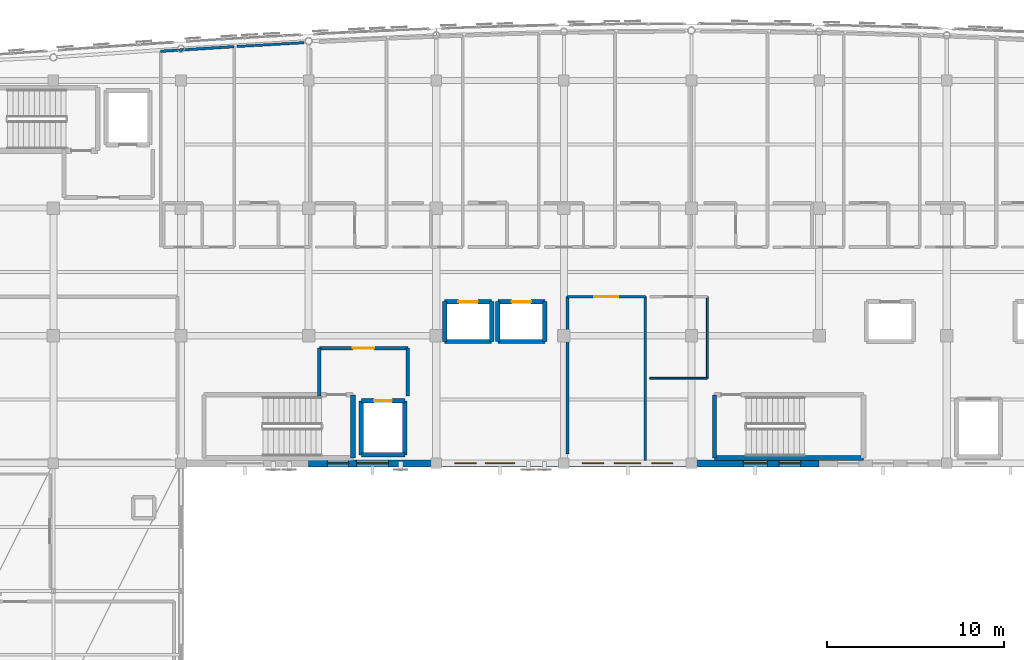
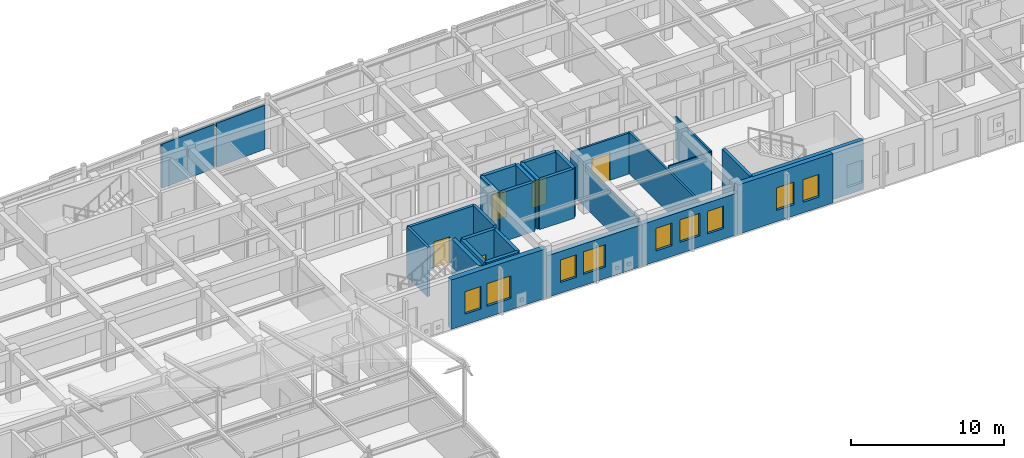
# One storey, part 92 of 113: 29 walls, 9 windows, 5 doors, 14 openings.
"""IFC4 building model written with IfcOpenShell, lengths in metres."""

from ifc_helpers import new_model, si_unit, direction, frame, frame_2d, origin, place, context, subcontext, project, spatial, rectangle, extrude, material, layer, layer_set, type_object, element, fill, save


model = new_model("IFC4")

# Units and contexts
model_context = context("Model", 3, precision=1e-05, world=origin(), true_north=direction((0.0, 1.0)))
body_context = subcontext(model_context, "Body", "Model", "MODEL_VIEW")
ifc_project = project(units=[si_unit("LENGTHUNIT", "METRE"), si_unit("AREAUNIT", "SQUARE_METRE"), si_unit("VOLUMEUNIT", "CUBIC_METRE"), si_unit("PLANEANGLEUNIT", "RADIAN"), si_unit("MASSUNIT", "GRAM", prefix="KILO")], contexts=[model_context])

# Site, building, storey
site_placement = place(None, origin())
site = spatial("IfcSite", under=ifc_project, at=site_placement, CompositionType="ELEMENT")
building_placement = place(site_placement, origin())
building = spatial("IfcBuilding", under=site, at=building_placement, Name="Carrowvane Square Congress Hotel", CompositionType="ELEMENT")
storey_placement = place(building_placement, frame((0.0, 0.0, 15.0)))
storey = spatial("IfcBuildingStorey", under=building, at=storey_placement, Name="L03", CompositionType="ELEMENT", Elevation=15.0)

# Wall, openings, windows
ifc_material_1 = material(Name="Glazed terracotta rainscreen", Category="masonry")
ifc_layer_1 = layer(ifc_material_1, 0.39990234375)
ifc_layer_set_1 = layer_set([ifc_layer_1], Name="Glazed terracotta rainscreen")
wall_type_1 = type_object("IfcWallType", Name="WL-EXT-TC400", PredefinedType="STANDARD", material=ifc_layer_set_1)
wall_1_placement = place(storey_placement, frame((105.199951171875, 91.800048828125, 0.0), z_axis=(0.0, 0.0, 1.0), x_axis=(-1.0, 0.0, 0.0)))
wall_1 = element("IfcWall", 1, at=wall_1_placement, inside=storey, type_object=wall_type_1, Name="L03 exterior facade wall 394", PredefinedType="STANDARD", context=body_context, shape_type="SweptSolid", body=[
    extrude(rectangle(XDim=7.199951171875, YDim=0.39990234375, at=frame_2d((3.60009765625, 0.0))), origin(), (0.0, 0.0, 1.0), 3.93994140625),
])
opening_1_placement = place(wall_1_placement, frame((2.925048828125, 0.0, 0.89990234375)))
opening_1 = element("IfcOpeningElement", 2, at=opening_1_placement, cuts=wall_1, Name="Opening W-02", PredefinedType="OPENING", context=body_context, shape_type="SweptSolid", body=[
    extrude(rectangle(XDim=1.35009765625, YDim=1.800048828125, at=frame_2d((0.675048828125, 0.89990234375))), frame((0.0, 0.2099609375, 0.0), z_axis=(0.0, -1.0, 0.0), x_axis=(1.0, 0.0, 0.0)), (0.0, 0.0, 1.0), 0.419921875),
])
opening_2_placement = place(wall_1_placement, frame((1.050048828125, 0.0, 0.85009765625)))
opening_2 = element("IfcOpeningElement", 3, at=opening_2_placement, cuts=wall_1, Name="Opening W-01", PredefinedType="OPENING", context=body_context, shape_type="SweptSolid", body=[
    extrude(rectangle(XDim=1.199951171875, YDim=1.800048828125, at=frame_2d((0.60009765625, 0.89990234375))), frame((0.0, 0.2099609375, 0.0), z_axis=(0.0, -1.0, 0.0), x_axis=(1.0, 0.0, 0.0)), (0.0, 0.0, 1.0), 0.419921875),
])
ifc_material_2 = material(Name="Double-glazed low-E glass", Category="glass")
window_type_1 = type_object("IfcWindowType", Name="WIN-01", PartitioningType="SINGLE_PANEL", PredefinedType="WINDOW", material=ifc_material_2)
window_1_placement = place(opening_2_placement, origin())
window_1 = element("IfcWindow", 4, at=window_1_placement, inside=storey, type_object=window_type_1, Name="L03 guest bedroom window 220", OverallHeight=1.800048828125, OverallWidth=1.199951171875, PartitioningType="SINGLE_PANEL", PredefinedType="WINDOW", context=body_context, shape_type="SweptSolid", body=[
    extrude(rectangle(XDim=1.199951171875, YDim=1.800048828125, at=frame_2d((0.60009765625, 0.89990234375))), frame((0.0, 0.030029296875, 0.0), z_axis=(0.0, -1.0, 0.0), x_axis=(1.0, 0.0, 0.0)), (0.0, 0.0, 1.0), 0.06005859375),
])
fill(opening_2, window_1)
ifc_material_3 = material(Name="Double-glazed low-E glass", Category="glass")
window_type_2 = type_object("IfcWindowType", Name="WIN-02", PartitioningType="SINGLE_PANEL", PredefinedType="WINDOW", material=ifc_material_3)
window_2_placement = place(opening_1_placement, origin())
window_2 = element("IfcWindow", 5, at=window_2_placement, inside=storey, type_object=window_type_2, Name="L03 facade window 219", OverallHeight=1.800048828125, OverallWidth=1.35009765625, PartitioningType="SINGLE_PANEL", PredefinedType="WINDOW", context=body_context, shape_type="SweptSolid", body=[
    extrude(rectangle(XDim=1.35009765625, YDim=1.800048828125, at=frame_2d((0.675048828125, 0.89990234375))), frame((0.0, 0.030029296875, 0.0), z_axis=(0.0, -1.0, 0.0), x_axis=(1.0, 0.0, 0.0)), (0.0, 0.0, 1.0), 0.06005859375),
])
fill(opening_1, window_2)

wall_2_placement = place(storey_placement, frame((98.0, 91.800048828125, 0.0), z_axis=(0.0, 0.0, 1.0), x_axis=(-1.0, 0.0, 0.0)))
wall_2 = element("IfcWall", 6, at=wall_2_placement, inside=storey, type_object=wall_type_1, Name="L03 exterior facade wall 395", PredefinedType="STANDARD", context=body_context, shape_type="SweptSolid", body=[
    extrude(rectangle(XDim=7.199951171875, YDim=0.39990234375, at=frame_2d((3.60009765625, 0.0))), origin(), (0.0, 0.0, 1.0), 3.324951171875),
])
opening_3_placement = place(wall_2_placement, frame((2.85009765625, 0.0, 0.89990234375)))
opening_3 = element("IfcOpeningElement", 7, at=opening_3_placement, cuts=wall_2, Name="Opening W-03", PredefinedType="OPENING", context=body_context, shape_type="SweptSolid", body=[
    extrude(rectangle(XDim=1.5, YDim=1.800048828125, at=frame_2d((0.75, 0.89990234375))), frame((0.0, 0.2099609375, 0.0), z_axis=(0.0, -1.0, 0.0), x_axis=(1.0, 0.0, 0.0)), (0.0, 0.0, 1.0), 0.419921875),
])
opening_4_placement = place(wall_2_placement, frame((1.050048828125, 0.0, 0.85009765625)))
opening_4 = element("IfcOpeningElement", 8, at=opening_4_placement, cuts=wall_2, Name="Opening W-01", PredefinedType="OPENING", context=body_context, shape_type="SweptSolid", body=[
    extrude(rectangle(XDim=1.199951171875, YDim=1.800048828125, at=frame_2d((0.60009765625, 0.89990234375))), frame((0.0, 0.2099609375, 0.0), z_axis=(0.0, -1.0, 0.0), x_axis=(1.0, 0.0, 0.0)), (0.0, 0.0, 1.0), 0.419921875),
])
opening_5_placement = place(wall_2_placement, frame((4.949951171875, 0.0, 0.85009765625)))
opening_5 = element("IfcOpeningElement", 9, at=opening_5_placement, cuts=wall_2, Name="Opening W-01", PredefinedType="OPENING", context=body_context, shape_type="SweptSolid", body=[
    extrude(rectangle(XDim=1.199951171875, YDim=1.800048828125, at=frame_2d((0.60009765625, 0.89990234375))), frame((0.0, 0.2099609375, 0.0), z_axis=(0.0, -1.0, 0.0), x_axis=(1.0, 0.0, 0.0)), (0.0, 0.0, 1.0), 0.419921875),
])
window_3_placement = place(opening_4_placement, origin())
window_3 = element("IfcWindow", 10, at=window_3_placement, inside=storey, type_object=window_type_1, Name="L03 guest bedroom window 223", OverallHeight=1.800048828125, OverallWidth=1.199951171875, PartitioningType="SINGLE_PANEL", PredefinedType="WINDOW", context=body_context, shape_type="SweptSolid", body=[
    extrude(rectangle(XDim=1.199951171875, YDim=1.800048828125, at=frame_2d((0.60009765625, 0.89990234375))), frame((0.0, 0.030029296875, 0.0), z_axis=(0.0, -1.0, 0.0), x_axis=(1.0, 0.0, 0.0)), (0.0, 0.0, 1.0), 0.06005859375),
])
fill(opening_4, window_3)
window_4_placement = place(opening_5_placement, origin())
window_4 = element("IfcWindow", 11, at=window_4_placement, inside=storey, type_object=window_type_1, Name="L03 guest bedroom window 224", OverallHeight=1.800048828125, OverallWidth=1.199951171875, PartitioningType="SINGLE_PANEL", PredefinedType="WINDOW", context=body_context, shape_type="SweptSolid", body=[
    extrude(rectangle(XDim=1.199951171875, YDim=1.800048828125, at=frame_2d((0.60009765625, 0.89990234375))), frame((0.0, 0.030029296875, 0.0), z_axis=(0.0, -1.0, 0.0), x_axis=(1.0, 0.0, 0.0)), (0.0, 0.0, 1.0), 0.06005859375),
])
fill(opening_5, window_4)
ifc_material_4 = material(Name="Double-glazed low-E glass", Category="glass")
window_type_3 = type_object("IfcWindowType", Name="WIN-03", PartitioningType="SINGLE_PANEL", PredefinedType="WINDOW", material=ifc_material_4)
window_5_placement = place(opening_3_placement, origin())
window_5 = element("IfcWindow", 12, at=window_5_placement, inside=storey, type_object=window_type_3, Name="L03 facade window 222", OverallHeight=1.800048828125, OverallWidth=1.5, PartitioningType="SINGLE_PANEL", PredefinedType="WINDOW", context=body_context, shape_type="SweptSolid", body=[
    extrude(rectangle(XDim=1.5, YDim=1.800048828125, at=frame_2d((0.75, 0.89990234375))), frame((0.0, 0.030029296875, 0.0), z_axis=(0.0, -1.0, 0.0), x_axis=(1.0, 0.0, 0.0)), (0.0, 0.0, 1.0), 0.06005859375),
])
fill(opening_3, window_5)

wall_3_placement = place(storey_placement, frame((90.800048828125, 91.800048828125, 0.0), z_axis=(0.0, 0.0, 1.0), x_axis=(-1.0, 0.0, 0.0)))
wall_3 = element("IfcWall", 13, at=wall_3_placement, inside=storey, type_object=wall_type_1, Name="L03 exterior facade wall 396", PredefinedType="STANDARD", context=body_context, shape_type="SweptSolid", body=[
    extrude(rectangle(XDim=7.199951171875, YDim=0.39990234375, at=frame_2d((3.60009765625, 0.0))), origin(), (0.0, 0.0, 1.0), 3.324951171875),
])
opening_6_placement = place(wall_3_placement, frame((2.77490234375, 0.0, 0.89990234375)))
opening_6 = element("IfcOpeningElement", 14, at=opening_6_placement, cuts=wall_3, Name="Opening W-04", PredefinedType="OPENING", context=body_context, shape_type="SweptSolid", body=[
    extrude(rectangle(XDim=1.64990234375, YDim=1.800048828125, at=frame_2d((0.824951171875, 0.89990234375))), frame((0.0, 0.2099609375, 0.0), z_axis=(0.0, -1.0, 0.0), x_axis=(1.0, 0.0, 0.0)), (0.0, 0.0, 1.0), 0.419921875),
])
opening_7_placement = place(wall_3_placement, frame((4.949951171875, 0.0, 0.85009765625)))
opening_7 = element("IfcOpeningElement", 15, at=opening_7_placement, cuts=wall_3, Name="Opening W-01", PredefinedType="OPENING", context=body_context, shape_type="SweptSolid", body=[
    extrude(rectangle(XDim=1.199951171875, YDim=1.800048828125, at=frame_2d((0.60009765625, 0.89990234375))), frame((0.0, 0.2099609375, 0.0), z_axis=(0.0, -1.0, 0.0), x_axis=(1.0, 0.0, 0.0)), (0.0, 0.0, 1.0), 0.419921875),
])
window_6_placement = place(opening_7_placement, origin())
window_6 = element("IfcWindow", 16, at=window_6_placement, inside=storey, type_object=window_type_1, Name="L03 guest bedroom window 226", OverallHeight=1.800048828125, OverallWidth=1.199951171875, PartitioningType="SINGLE_PANEL", PredefinedType="WINDOW", context=body_context, shape_type="SweptSolid", body=[
    extrude(rectangle(XDim=1.199951171875, YDim=1.800048828125, at=frame_2d((0.60009765625, 0.89990234375))), frame((0.0, 0.030029296875, 0.0), z_axis=(0.0, -1.0, 0.0), x_axis=(1.0, 0.0, 0.0)), (0.0, 0.0, 1.0), 0.06005859375),
])
fill(opening_7, window_6)
ifc_material_5 = material(Name="Double-glazed low-E glass", Category="glass")
window_type_4 = type_object("IfcWindowType", Name="WIN-04", PartitioningType="SINGLE_PANEL", PredefinedType="WINDOW", material=ifc_material_5)
window_7_placement = place(opening_6_placement, origin())
window_7 = element("IfcWindow", 17, at=window_7_placement, inside=storey, type_object=window_type_4, Name="L03 facade window 225", OverallHeight=1.800048828125, OverallWidth=1.64990234375, PartitioningType="SINGLE_PANEL", PredefinedType="WINDOW", context=body_context, shape_type="SweptSolid", body=[
    extrude(rectangle(XDim=1.64990234375, YDim=1.800048828125, at=frame_2d((0.824951171875, 0.89990234375))), frame((0.0, 0.030029296875, 0.0), z_axis=(0.0, -1.0, 0.0), x_axis=(1.0, 0.0, 0.0)), (0.0, 0.0, 1.0), 0.06005859375),
])
fill(opening_6, window_7)

wall_4_placement = place(storey_placement, frame((83.60009765625, 91.800048828125, 0.0), z_axis=(0.0, 0.0, 1.0), x_axis=(-1.0, 0.0, 0.0)))
wall_4 = element("IfcWall", 18, at=wall_4_placement, inside=storey, type_object=wall_type_1, Name="L03 exterior facade wall 397", PredefinedType="STANDARD", context=body_context, shape_type="SweptSolid", body=[
    extrude(rectangle(XDim=7.2001953125, YDim=0.39990234375, at=frame_2d((3.60009765625, 0.0))), origin(), (0.0, 0.0, 1.0), 3.93994140625),
])
opening_8_placement = place(wall_4_placement, frame((2.699951171875, 0.0, 0.89990234375)))
opening_8 = element("IfcOpeningElement", 19, at=opening_8_placement, cuts=wall_4, Name="Opening W-05", PredefinedType="OPENING", context=body_context, shape_type="SweptSolid", body=[
    extrude(rectangle(XDim=1.800048828125, YDim=1.800048828125, at=frame_2d((0.89990234375, 0.89990234375))), frame((0.0, 0.2099609375, 0.0), z_axis=(0.0, -1.0, 0.0), x_axis=(1.0, 0.0, 0.0)), (0.0, 0.0, 1.0), 0.419921875),
])
opening_9_placement = place(wall_4_placement, frame((4.949951171875, 0.0, 0.85009765625)))
opening_9 = element("IfcOpeningElement", 20, at=opening_9_placement, cuts=wall_4, Name="Opening W-01", PredefinedType="OPENING", context=body_context, shape_type="SweptSolid", body=[
    extrude(rectangle(XDim=1.199951171875, YDim=1.800048828125, at=frame_2d((0.60009765625, 0.89990234375))), frame((0.0, 0.2099609375, 0.0), z_axis=(0.0, -1.0, 0.0), x_axis=(1.0, 0.0, 0.0)), (0.0, 0.0, 1.0), 0.419921875),
])
window_8_placement = place(opening_9_placement, origin())
window_8 = element("IfcWindow", 21, at=window_8_placement, inside=storey, type_object=window_type_1, Name="L03 guest bedroom window 228", OverallHeight=1.800048828125, OverallWidth=1.199951171875, PartitioningType="SINGLE_PANEL", PredefinedType="WINDOW", context=body_context, shape_type="SweptSolid", body=[
    extrude(rectangle(XDim=1.199951171875, YDim=1.800048828125, at=frame_2d((0.60009765625, 0.89990234375))), frame((0.0, 0.030029296875, 0.0), z_axis=(0.0, -1.0, 0.0), x_axis=(1.0, 0.0, 0.0)), (0.0, 0.0, 1.0), 0.06005859375),
])
fill(opening_9, window_8)
ifc_material_6 = material(Name="Double-glazed low-E glass", Category="glass")
window_type_5 = type_object("IfcWindowType", Name="WIN-05", PartitioningType="SINGLE_PANEL", PredefinedType="WINDOW", material=ifc_material_6)
window_9_placement = place(opening_8_placement, origin())
window_9 = element("IfcWindow", 22, at=window_9_placement, inside=storey, type_object=window_type_5, Name="L03 facade window 227", OverallHeight=1.800048828125, OverallWidth=1.800048828125, PartitioningType="SINGLE_PANEL", PredefinedType="WINDOW", context=body_context, shape_type="SweptSolid", body=[
    extrude(rectangle(XDim=1.800048828125, YDim=1.800048828125, at=frame_2d((0.89990234375, 0.89990234375))), frame((0.0, 0.030029296875, 0.0), z_axis=(0.0, -1.0, 0.0), x_axis=(1.0, 0.0, 0.0)), (0.0, 0.0, 1.0), 0.06005859375),
])
fill(opening_8, window_9)

# Wall, opening, door
ifc_material_7 = material(Name="Acoustic gypsum board", Category="gypsum")
ifc_layer_2 = layer(ifc_material_7, 0.155029296875)
ifc_layer_set_2 = layer_set([ifc_layer_2], Name="Acoustic gypsum board")
wall_type_2 = type_object("IfcWallType", Name="WL-FIR-155", PredefinedType="PARTITIONING", material=ifc_layer_set_2)
wall_5_placement = place(storey_placement, frame((91.0, 101.199951171875, 0.0), z_axis=(0.0, 0.0, 1.0), x_axis=(1.0, 0.0, 0.0)))
wall_5 = element("IfcWall", 23, at=wall_5_placement, inside=storey, type_object=wall_type_2, Name="L03 L03 Housekeeping Linen Pantry partition", PredefinedType="PARTITIONING", context=body_context, shape_type="SweptSolid", body=[
    extrude(rectangle(XDim=4.39990234375, YDim=0.155029296875, at=frame_2d((2.199951171875, 0.0))), origin(), (0.0, 0.0, 1.0), 3.27490234375),
])
opening_10_placement = place(wall_5_placement, frame((1.52001953125, 0.0, 0.0)))
opening_10 = element("IfcOpeningElement", 24, at=opening_10_placement, cuts=wall_5, Name="Opening ID-25", PredefinedType="OPENING", context=body_context, shape_type="SweptSolid", body=[
    extrude(rectangle(XDim=1.360107421875, YDim=2.219970703125, at=frame_2d((0.68017578125, 1.10986328125))), frame((0.0, 0.08740234375, 0.0), z_axis=(0.0, -1.0, 0.0), x_axis=(1.0, 0.0, 0.0)), (0.0, 0.0, 1.0), 0.175048828125),
])
ifc_material_8 = material(Name="European oak timber", Category="wood")
door_type_1 = type_object("IfcDoorType", Name="DR-INT-1360x2220", OperationType="DOUBLE_DOOR_SINGLE_SWING", PredefinedType="DOOR", material=ifc_material_8)
door_1_placement = place(opening_10_placement, origin())
door_1 = element("IfcDoor", 25, at=door_1_placement, inside=storey, type_object=door_type_1, Name="L03 L03 Housekeeping Linen Pantry entrance door", OperationType="DOUBLE_DOOR_SINGLE_SWING", OverallHeight=2.219970703125, OverallWidth=1.360107421875, PredefinedType="DOOR", context=body_context, shape_type="SweptSolid", body=[
    extrude(rectangle(XDim=1.360107421875, YDim=2.219970703125, at=frame_2d((0.68017578125, 1.10986328125))), frame((0.0, 0.02490234375, 0.0), z_axis=(0.0, -1.0, 0.0), x_axis=(1.0, 0.0, 0.0)), (0.0, 0.0, 1.0), 0.050048828125),
])
fill(opening_10, door_1)

# Walls
ifc_material_9 = material(Name="Acoustic gypsum board", Category="gypsum")
ifc_layer_3 = layer(ifc_material_9, 0.169921875)
ifc_layer_set_3 = layer_set([ifc_layer_3], Name="Acoustic gypsum board")
wall_type_3 = type_object("IfcWallType", Name="WL-FIR-170", PredefinedType="PARTITIONING", material=ifc_layer_set_3)
wall_6_placement = place(storey_placement, frame((91.0, 92.320068359375, 0.0), z_axis=(0.0, 0.0, 1.0), x_axis=(0.0, 1.0, 0.0)))
element("IfcWall", 26, at=wall_6_placement, inside=storey, type_object=wall_type_3, Name="L03 L03 Housekeeping Linen Pantry partition", PredefinedType="PARTITIONING", context=body_context, shape_type="SweptSolid", body=[
    extrude(rectangle(XDim=8.8798828125, YDim=0.169921875, at=frame_2d((4.43994140625, 0.0))), origin(), (0.0, 0.0, 1.0), 3.27490234375),
])
ifc_material_10 = material(Name="Acoustic gypsum board", Category="gypsum")
ifc_layer_4 = layer(ifc_material_10, 0.205078125)
ifc_layer_set_4 = layer_set([ifc_layer_4], Name="Acoustic gypsum board")
wall_type_4 = type_object("IfcWallType", Name="WL-FIR-205", PredefinedType="PARTITIONING", material=ifc_layer_set_4)
wall_7_placement = place(storey_placement, frame((82.0, 95.60009765625, 0.0), z_axis=(0.0, 0.0, 1.0), x_axis=(0.0, 1.0, 0.0)))
element("IfcWall", 27, at=wall_7_placement, inside=storey, type_object=wall_type_4, Name="L03 Firefighting Lobby C2 wall east", PredefinedType="PARTITIONING", context=body_context, shape_type="SweptSolid", body=[
    extrude(rectangle(XDim=2.699951171875, YDim=0.205078125, at=frame_2d((1.35009765625, 0.0))), origin(), (0.0, 0.0, 1.0), 3.93994140625),
])

# Wall, opening, door
wall_8_placement = place(storey_placement, frame((82.0, 98.300048828125, 0.0), z_axis=(0.0, 0.0, 1.0), x_axis=(-1.0, 0.0, 0.0)))
wall_8 = element("IfcWall", 28, at=wall_8_placement, inside=storey, type_object=wall_type_4, Name="L03 Firefighting Lobby C2 wall north", PredefinedType="PARTITIONING", context=body_context, shape_type="SweptSolid", body=[
    extrude(rectangle(XDim=5.0, YDim=0.205078125, at=frame_2d((2.5, 0.0))), origin(), (0.0, 0.0, 1.0), 3.93994140625),
])
opening_11_placement = place(wall_8_placement, frame((1.89990234375, 0.0, 0.0)))
opening_11 = element("IfcOpeningElement", 29, at=opening_11_placement, cuts=wall_8, Name="Opening FD-02", PredefinedType="OPENING", context=body_context, shape_type="SweptSolid", body=[
    extrude(rectangle(XDim=1.199951171875, YDim=2.10009765625, at=frame_2d((0.60009765625, 1.050048828125))), frame((0.0, 0.112548828125, 0.0), z_axis=(0.0, -1.0, 0.0), x_axis=(1.0, 0.0, 0.0)), (0.0, 0.0, 1.0), 0.22509765625),
])
ifc_material_11 = material(Name="European oak timber", Category="wood")
door_type_2 = type_object("IfcDoorType", Name="DR-FD60-1200x2100", OperationType="NOTDEFINED", PredefinedType="DOOR", material=ifc_material_11)
door_2_placement = place(opening_11_placement, origin())
door_2 = element("IfcDoor", 30, at=door_2_placement, inside=storey, type_object=door_type_2, Name="L03 Firefighting Lobby C2 entrance door", OperationType="SINGLE_SWING_LEFT", OverallHeight=2.10009765625, OverallWidth=1.199951171875, PredefinedType="DOOR", context=body_context, shape_type="SweptSolid", body=[
    extrude(rectangle(XDim=1.199951171875, YDim=2.10009765625, at=frame_2d((0.60009765625, 1.050048828125))), frame((0.0, 0.02490234375, 0.0), z_axis=(0.0, -1.0, 0.0), x_axis=(1.0, 0.0, 0.0)), (0.0, 0.0, 1.0), 0.050048828125),
])
fill(opening_11, door_2)

# Walls
wall_9_placement = place(storey_placement, frame((77.0, 98.300048828125, 0.0), z_axis=(0.0, 0.0, 1.0), x_axis=(0.0, -1.0, 0.0)))
element("IfcWall", 31, at=wall_9_placement, inside=storey, type_object=wall_type_4, Name="L03 Firefighting Lobby C2 wall west", PredefinedType="PARTITIONING", context=body_context, shape_type="SweptSolid", body=[
    extrude(rectangle(XDim=2.699951171875, YDim=0.205078125, at=frame_2d((1.35009765625, 0.0))), origin(), (0.0, 0.0, 1.0), 3.93994140625),
])
ifc_material_12 = material(Name="Acoustic gypsum board", Category="gypsum")
ifc_layer_5 = layer(ifc_material_12, 0.097900390625)
ifc_layer_set_5 = layer_set([ifc_layer_5], Name="Acoustic gypsum board")
wall_type_5 = type_object("IfcWallType", Name="WL-PRT-098", PredefinedType="PARTITIONING", material=ifc_layer_set_5)
wall_10_placement = place(storey_placement, frame((98.89990234375, 96.60009765625, 0.0), z_axis=(0.0, 0.0, 1.0), x_axis=(-1.0, 0.0, 0.0)))
element("IfcWall", 32, at=wall_10_placement, inside=storey, type_object=wall_type_5, Name="L03 L03 Accessible Guest WC partition", PredefinedType="PARTITIONING", context=body_context, shape_type="SweptSolid", body=[
    extrude(rectangle(XDim=3.25, YDim=0.097900390625, at=frame_2d((1.625, 0.0))), origin(), (0.0, 0.0, 1.0), 3.27490234375),
])
ifc_material_13 = material(Name="Acoustic gypsum board", Category="gypsum")
ifc_layer_6 = layer(ifc_material_13, 0.10791015625)
ifc_layer_set_6 = layer_set([ifc_layer_6], Name="Acoustic gypsum board")
wall_type_6 = type_object("IfcWallType", Name="WL-PRT-108", PredefinedType="PARTITIONING", material=ifc_layer_set_6)
wall_11_placement = place(storey_placement, frame((98.89990234375, 101.199951171875, 0.0), z_axis=(0.0, 0.0, 1.0), x_axis=(0.0, -1.0, 0.0)))
element("IfcWall", 33, at=wall_11_placement, inside=storey, type_object=wall_type_6, Name="L03 L03 Accessible Guest WC partition", PredefinedType="PARTITIONING", context=body_context, shape_type="SweptSolid", body=[
    extrude(rectangle(XDim=4.599853515625, YDim=0.10791015625, at=frame_2d((2.2998046875, 0.0))), origin(), (0.0, 0.0, 1.0), 3.324951171875),
])
ifc_material_14 = material(Name="Acoustic gypsum board", Category="gypsum")
ifc_layer_7 = layer(ifc_material_14, 0.137939453125)
ifc_layer_set_7 = layer_set([ifc_layer_7], Name="Acoustic gypsum board")
wall_type_7 = type_object("IfcWallType", Name="WL-PRT-138", PredefinedType="PARTITIONING", material=ifc_layer_set_7)
wall_12_placement = place(storey_placement, frame((72.35009765625, 115.318603515625, 0.0), z_axis=(0.0, 0.0, 1.0), x_axis=(0.998414587375, 0.056287758139, 0.0)))
element("IfcWall", 34, at=wall_12_placement, inside=storey, type_object=wall_type_7, Name="L03 Parkview Guest Bedroom 0306 partition", PredefinedType="PARTITIONING", context=body_context, shape_type="SweptSolid", body=[
    extrude(rectangle(XDim=3.78662109375, YDim=0.137939453125, at=frame_2d((1.893310546875, 0.0))), origin(), (0.0, 0.0, 1.0), 3.515625),
])
ifc_material_15 = material(Name="Acoustic gypsum board", Category="gypsum")
ifc_layer_8 = layer(ifc_material_15, 0.14794921875)
ifc_layer_set_8 = layer_set([ifc_layer_8], Name="Acoustic gypsum board")
wall_type_8 = type_object("IfcWallType", Name="WL-PRT-148", PredefinedType="PARTITIONING", material=ifc_layer_set_8)
wall_13_placement = place(storey_placement, frame((95.39990234375, 101.199951171875, 0.0), z_axis=(0.0, 0.0, 1.0), x_axis=(0.0, -1.0, 0.0)))
element("IfcWall", 35, at=wall_13_placement, inside=storey, type_object=wall_type_8, Name="L03 L03 Housekeeping Linen Pantry partition", PredefinedType="PARTITIONING", context=body_context, shape_type="SweptSolid", body=[
    extrude(rectangle(XDim=9.239990234375, YDim=0.14794921875, at=frame_2d((4.6201171875, 0.0))), origin(), (0.0, 0.0, 1.0), 3.324951171875),
])
wall_14_placement = place(storey_placement, frame((68.050048828125, 115.048828125, 0.0), z_axis=(0.0, 0.0, 1.0), x_axis=(0.998029840206, 0.062741039669, 0.0)))
element("IfcWall", 36, at=wall_14_placement, inside=storey, type_object=wall_type_8, Name="L03 Parkview Guest Bedroom 0305 partition", PredefinedType="PARTITIONING", context=body_context, shape_type="SweptSolid", body=[
    extrude(rectangle(XDim=4.14794921875, YDim=0.14794921875, at=frame_2d((2.073974609375, 0.0))), origin(), (0.0, 0.0, 1.0), 3.515625),
])
ifc_material_16 = material(Name="Concrete C40/50", Category="concrete")
ifc_layer_9 = layer(ifc_material_16, 0.22509765625)
ifc_layer_set_9 = layer_set([ifc_layer_9], Name="Concrete C40/50")
wall_type_9 = type_object("IfcWallType", Name="WL-SHR-225", PredefinedType="SHEAR", material=ifc_layer_set_9)
wall_15_placement = place(storey_placement, frame((99.300048828125, 95.659912109375, 0.0), z_axis=(0.0, 0.0, 1.0), x_axis=(0.0, -1.0, 0.0)))
element("IfcWall", 37, at=wall_15_placement, inside=storey, type_object=wall_type_9, Name="L03 ST3 core wall west", PredefinedType="SHEAR", context=body_context, shape_type="SweptSolid", body=[
    extrude(rectangle(XDim=3.559814453125, YDim=0.22509765625, at=frame_2d((1.77978515625, 0.0))), origin(), (0.0, 0.0, 1.0), 3.93994140625),
])
ifc_material_17 = material(Name="Concrete C40/50", Category="concrete")
ifc_layer_10 = layer(ifc_material_17, 0.25)
ifc_layer_set_10 = layer_set([ifc_layer_10], Name="Concrete C40/50")
wall_type_10 = type_object("IfcWallType", Name="WL-SHR-250", PredefinedType="SHEAR", material=ifc_layer_set_10)
wall_16_placement = place(storey_placement, frame((79.375, 92.27490234375, 0.0), z_axis=(0.0, 0.0, 1.0), x_axis=(1.0, 0.0, 0.0)))
element("IfcWall", 38, at=wall_16_placement, inside=storey, type_object=wall_type_10, Name="L03 FFL-2 shaft wall south", PredefinedType="SHEAR", context=body_context, shape_type="SweptSolid", body=[
    extrude(rectangle(XDim=2.449951171875, YDim=0.25, at=frame_2d((1.22509765625, 0.0))), origin(), (0.0, 0.0, 1.0), 3.93994140625),
])
wall_17_placement = place(storey_placement, frame((81.824951171875, 92.27490234375, 0.0), z_axis=(0.0, 0.0, 1.0), x_axis=(0.0, 1.0, 0.0)))
element("IfcWall", 39, at=wall_17_placement, inside=storey, type_object=wall_type_10, Name="L03 FFL-2 shaft wall east", PredefinedType="SHEAR", context=body_context, shape_type="SweptSolid", body=[
    extrude(rectangle(XDim=3.050048828125, YDim=0.25, at=frame_2d((1.52490234375, 0.0))), origin(), (0.0, 0.0, 1.0), 3.93994140625),
])

# Wall, opening, door
wall_18_placement = place(storey_placement, frame((81.824951171875, 95.324951171875, 0.0), z_axis=(0.0, 0.0, 1.0), x_axis=(-1.0, 0.0, 0.0)))
wall_18 = element("IfcWall", 40, at=wall_18_placement, inside=storey, type_object=wall_type_10, Name="L03 FFL-2 shaft wall north", PredefinedType="SHEAR", context=body_context, shape_type="SweptSolid", body=[
    extrude(rectangle(XDim=2.449951171875, YDim=0.25, at=frame_2d((1.22509765625, 0.0))), origin(), (0.0, 0.0, 1.0), 3.93994140625),
])
opening_12_placement = place(wall_18_placement, frame((0.72509765625, 0.0, 0.0)))
opening_12 = element("IfcOpeningElement", 41, at=opening_12_placement, cuts=wall_18, Name="Opening LD-FFL-2", PredefinedType="OPENING", context=body_context, shape_type="SweptSolid", body=[
    extrude(rectangle(XDim=1.0, YDim=2.14990234375, at=frame_2d((0.5, 1.074951171875))), frame((0.0, 0.135009765625, 0.0), z_axis=(0.0, -1.0, 0.0), x_axis=(1.0, 0.0, 0.0)), (0.0, 0.0, 1.0), 0.27001953125),
])
ifc_material_18 = material(Name="Stainless steel 316", Category="steel")
door_type_3 = type_object("IfcDoorType", Name="DR-LD-1000x2150", OperationType="DOUBLE_DOOR_SLIDING", PredefinedType="DOOR", material=ifc_material_18)
door_3_placement = place(opening_12_placement, origin())
door_3 = element("IfcDoor", 42, at=door_3_placement, inside=storey, type_object=door_type_3, Name="L03 FFL-2 sliding lift landing door", OperationType="DOUBLE_DOOR_SLIDING", OverallHeight=2.14990234375, OverallWidth=1.0, PredefinedType="DOOR", context=body_context, shape_type="SweptSolid", body=[
    extrude(rectangle(XDim=1.0, YDim=2.14990234375, at=frame_2d((0.5, 1.074951171875))), frame((0.0, 0.02490234375, 0.0), z_axis=(0.0, -1.0, 0.0), x_axis=(1.0, 0.0, 0.0)), (0.0, 0.0, 1.0), 0.050048828125),
])
fill(opening_12, door_3)

# Walls
wall_19_placement = place(storey_placement, frame((79.375, 95.324951171875, 0.0), z_axis=(0.0, 0.0, 1.0), x_axis=(0.0, -1.0, 0.0)))
element("IfcWall", 43, at=wall_19_placement, inside=storey, type_object=wall_type_10, Name="L03 FFL-2 shaft wall west", PredefinedType="SHEAR", context=body_context, shape_type="SweptSolid", body=[
    extrude(rectangle(XDim=3.050048828125, YDim=0.25, at=frame_2d((1.52490234375, 0.0))), origin(), (0.0, 0.0, 1.0), 3.93994140625),
])
wall_20_placement = place(storey_placement, frame((84.074951171875, 98.675048828125, 0.0), z_axis=(0.0, 0.0, 1.0), x_axis=(1.0, 0.0, 0.0)))
element("IfcWall", 44, at=wall_20_placement, inside=storey, type_object=wall_type_10, Name="L03 HL-1 shaft wall south", PredefinedType="SHEAR", context=body_context, shape_type="SweptSolid", body=[
    extrude(rectangle(XDim=2.650146484375, YDim=0.25, at=frame_2d((1.3251953125, 0.0))), origin(), (0.0, 0.0, 1.0), 3.93994140625),
])
wall_21_placement = place(storey_placement, frame((86.72509765625, 98.675048828125, 0.0), z_axis=(0.0, 0.0, 1.0), x_axis=(0.0, 1.0, 0.0)))
element("IfcWall", 45, at=wall_21_placement, inside=storey, type_object=wall_type_10, Name="L03 HL-1 shaft wall east", PredefinedType="SHEAR", context=body_context, shape_type="SweptSolid", body=[
    extrude(rectangle(XDim=2.25, YDim=0.25, at=frame_2d((1.125, 0.0))), origin(), (0.0, 0.0, 1.0), 3.93994140625),
])

# Wall, opening, door
wall_22_placement = place(storey_placement, frame((86.72509765625, 100.925048828125, 0.0), z_axis=(0.0, 0.0, 1.0), x_axis=(-1.0, 0.0, 0.0)))
wall_22 = element("IfcWall", 46, at=wall_22_placement, inside=storey, type_object=wall_type_10, Name="L03 HL-1 shaft wall north", PredefinedType="SHEAR", context=body_context, shape_type="SweptSolid", body=[
    extrude(rectangle(XDim=2.650146484375, YDim=0.25, at=frame_2d((1.3251953125, 0.0))), origin(), (0.0, 0.0, 1.0), 3.93994140625),
])
opening_13_placement = place(wall_22_placement, frame((0.77490234375, 0.0, 0.0)))
opening_13 = element("IfcOpeningElement", 47, at=opening_13_placement, cuts=wall_22, Name="Opening LD-HL-1", PredefinedType="OPENING", context=body_context, shape_type="SweptSolid", body=[
    extrude(rectangle(XDim=1.10009765625, YDim=2.14990234375, at=frame_2d((0.550048828125, 1.074951171875))), frame((0.0, 0.135009765625, 0.0), z_axis=(0.0, -1.0, 0.0), x_axis=(1.0, 0.0, 0.0)), (0.0, 0.0, 1.0), 0.27001953125),
])
ifc_material_19 = material(Name="Stainless steel 316", Category="steel")
door_type_4 = type_object("IfcDoorType", Name="DR-LD-1100x2150", OperationType="DOUBLE_DOOR_SLIDING", PredefinedType="DOOR", material=ifc_material_19)
door_4_placement = place(opening_13_placement, origin())
door_4 = element("IfcDoor", 48, at=door_4_placement, inside=storey, type_object=door_type_4, Name="L03 HL-1 sliding lift landing door", OperationType="DOUBLE_DOOR_SLIDING", OverallHeight=2.14990234375, OverallWidth=1.10009765625, PredefinedType="DOOR", context=body_context, shape_type="SweptSolid", body=[
    extrude(rectangle(XDim=1.10009765625, YDim=2.14990234375, at=frame_2d((0.550048828125, 1.074951171875))), frame((0.0, 0.02490234375, 0.0), z_axis=(0.0, -1.0, 0.0), x_axis=(1.0, 0.0, 0.0)), (0.0, 0.0, 1.0), 0.050048828125),
])
fill(opening_13, door_4)

# Walls
wall_23_placement = place(storey_placement, frame((84.074951171875, 100.925048828125, 0.0), z_axis=(0.0, 0.0, 1.0), x_axis=(0.0, -1.0, 0.0)))
element("IfcWall", 49, at=wall_23_placement, inside=storey, type_object=wall_type_10, Name="L03 HL-1 shaft wall west", PredefinedType="SHEAR", context=body_context, shape_type="SweptSolid", body=[
    extrude(rectangle(XDim=2.25, YDim=0.25, at=frame_2d((1.125, 0.0))), origin(), (0.0, 0.0, 1.0), 3.93994140625),
])
wall_24_placement = place(storey_placement, frame((87.074951171875, 98.675048828125, 0.0), z_axis=(0.0, 0.0, 1.0), x_axis=(1.0, 0.0, 0.0)))
element("IfcWall", 50, at=wall_24_placement, inside=storey, type_object=wall_type_10, Name="L03 HL-2 shaft wall south", PredefinedType="SHEAR", context=body_context, shape_type="SweptSolid", body=[
    extrude(rectangle(XDim=2.650146484375, YDim=0.25, at=frame_2d((1.3251953125, 0.0))), origin(), (0.0, 0.0, 1.0), 3.93994140625),
])
wall_25_placement = place(storey_placement, frame((89.72509765625, 98.675048828125, 0.0), z_axis=(0.0, 0.0, 1.0), x_axis=(0.0, 1.0, 0.0)))
element("IfcWall", 51, at=wall_25_placement, inside=storey, type_object=wall_type_10, Name="L03 HL-2 shaft wall east", PredefinedType="SHEAR", context=body_context, shape_type="SweptSolid", body=[
    extrude(rectangle(XDim=2.25, YDim=0.25, at=frame_2d((1.125, 0.0))), origin(), (0.0, 0.0, 1.0), 3.93994140625),
])

# Wall, opening, door
wall_26_placement = place(storey_placement, frame((89.72509765625, 100.925048828125, 0.0), z_axis=(0.0, 0.0, 1.0), x_axis=(-1.0, 0.0, 0.0)))
wall_26 = element("IfcWall", 52, at=wall_26_placement, inside=storey, type_object=wall_type_10, Name="L03 HL-2 shaft wall north", PredefinedType="SHEAR", context=body_context, shape_type="SweptSolid", body=[
    extrude(rectangle(XDim=2.650146484375, YDim=0.25, at=frame_2d((1.3251953125, 0.0))), origin(), (0.0, 0.0, 1.0), 3.93994140625),
])
opening_14_placement = place(wall_26_placement, frame((0.77490234375, 0.0, 0.0)))
opening_14 = element("IfcOpeningElement", 53, at=opening_14_placement, cuts=wall_26, Name="Opening LD-HL-2", PredefinedType="OPENING", context=body_context, shape_type="SweptSolid", body=[
    extrude(rectangle(XDim=1.10009765625, YDim=2.14990234375, at=frame_2d((0.550048828125, 1.074951171875))), frame((0.0, 0.135009765625, 0.0), z_axis=(0.0, -1.0, 0.0), x_axis=(1.0, 0.0, 0.0)), (0.0, 0.0, 1.0), 0.27001953125),
])
door_5_placement = place(opening_14_placement, origin())
door_5 = element("IfcDoor", 54, at=door_5_placement, inside=storey, type_object=door_type_4, Name="L03 HL-2 sliding lift landing door", OperationType="DOUBLE_DOOR_SLIDING", OverallHeight=2.14990234375, OverallWidth=1.10009765625, PredefinedType="DOOR", context=body_context, shape_type="SweptSolid", body=[
    extrude(rectangle(XDim=1.10009765625, YDim=2.14990234375, at=frame_2d((0.550048828125, 1.074951171875))), frame((0.0, 0.02490234375, 0.0), z_axis=(0.0, -1.0, 0.0), x_axis=(1.0, 0.0, 0.0)), (0.0, 0.0, 1.0), 0.050048828125),
])
fill(opening_14, door_5)

# Walls
wall_27_placement = place(storey_placement, frame((87.074951171875, 100.925048828125, 0.0), z_axis=(0.0, 0.0, 1.0), x_axis=(0.0, -1.0, 0.0)))
element("IfcWall", 55, at=wall_27_placement, inside=storey, type_object=wall_type_10, Name="L03 HL-2 shaft wall west", PredefinedType="SHEAR", context=body_context, shape_type="SweptSolid", body=[
    extrude(rectangle(XDim=2.25, YDim=0.25, at=frame_2d((1.125, 0.0))), origin(), (0.0, 0.0, 1.0), 3.93994140625),
])
ifc_material_20 = material(Name="Concrete C40/50", Category="concrete")
ifc_layer_11 = layer(ifc_material_20, 0.27490234375)
ifc_layer_set_11 = layer_set([ifc_layer_11], Name="Concrete C40/50")
wall_type_11 = type_object("IfcWallType", Name="WL-SHR-275", PredefinedType="SHEAR", material=ifc_layer_set_11)
wall_28_placement = place(storey_placement, frame((78.89990234375, 92.10009765625, 0.0), z_axis=(0.0, 0.0, 1.0), x_axis=(0.0, 1.0, 0.0)))
element("IfcWall", 56, at=wall_28_placement, inside=storey, type_object=wall_type_11, Name="L03 ST2 core wall east", PredefinedType="SHEAR", context=body_context, shape_type="SweptSolid", body=[
    extrude(rectangle(XDim=3.559814453125, YDim=0.27490234375, at=frame_2d((1.77978515625, 0.0))), origin(), (0.0, 0.0, 1.0), 3.93994140625),
])
ifc_material_21 = material(Name="Concrete C40/50", Category="concrete")
ifc_layer_12 = layer(ifc_material_21, 0.300048828125)
ifc_layer_set_12 = layer_set([ifc_layer_12], Name="Concrete C40/50")
wall_type_12 = type_object("IfcWallType", Name="WL-SHR-300", PredefinedType="SHEAR", material=ifc_layer_set_12)
wall_29_placement = place(storey_placement, frame((99.300048828125, 92.10009765625, 0.0), z_axis=(0.0, 0.0, 1.0), x_axis=(1.0, 0.0, 0.0)))
element("IfcWall", 57, at=wall_29_placement, inside=storey, type_object=wall_type_12, Name="L03 ST3 core wall south", PredefinedType="SHEAR", context=body_context, shape_type="SweptSolid", body=[
    extrude(rectangle(XDim=8.39990234375, YDim=0.300048828125, at=frame_2d((4.199951171875, 0.0))), origin(), (0.0, 0.0, 1.0), 3.93994140625),
])

save(model, "model.ifc")
